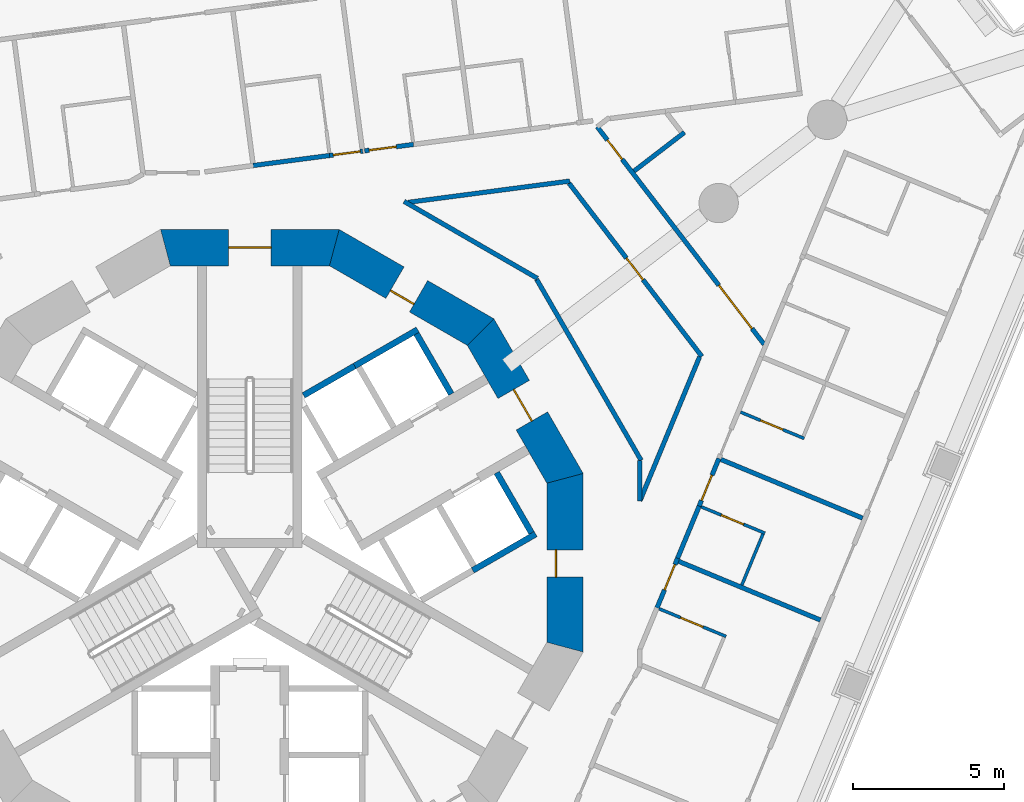
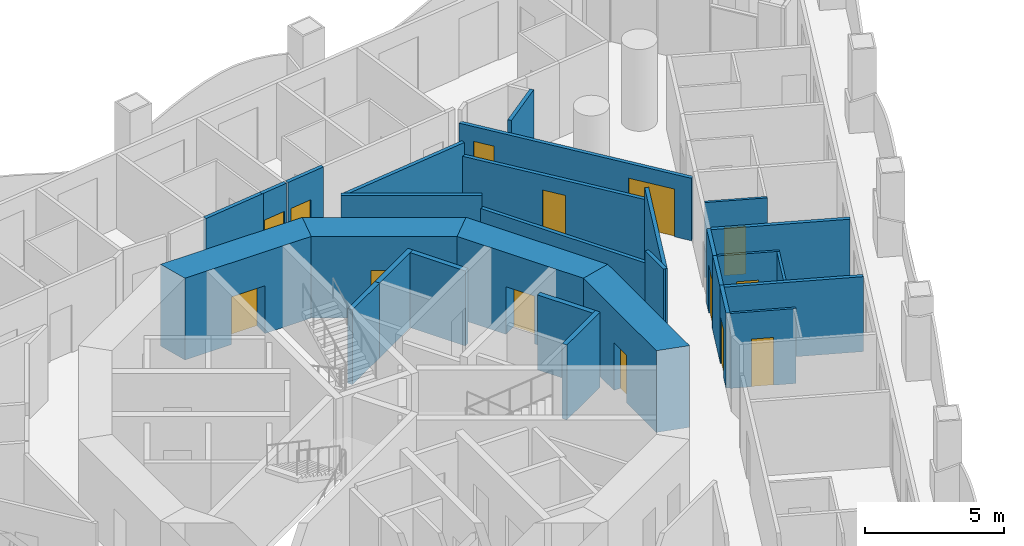
# One storey, part 9 of 19: 29 walls, 14 doors, 14 openings.
"""IFC4 building model written with IfcOpenShell, lengths in metres."""

from ifc_helpers import new_model, si_unit, direction, frame, frame_2d, origin, place, context, subcontext, project, spatial, polyline, rectangle, outline, extrude, material, layer, layer_set, type_object, element, fill, save


model = new_model("IFC4")

# Units and contexts
model_context = context("Model", 3, precision=1e-05, world=origin(), true_north=direction((0.0, 1.0)))
body_context = subcontext(model_context, "Body", "Model", "MODEL_VIEW")
ifc_project = project(units=[si_unit("LENGTHUNIT", "METRE"), si_unit("AREAUNIT", "SQUARE_METRE"), si_unit("VOLUMEUNIT", "CUBIC_METRE"), si_unit("PLANEANGLEUNIT", "RADIAN"), si_unit("MASSUNIT", "GRAM", prefix="KILO")], contexts=[model_context])

# Site, building, storey
site_placement = place(None, origin())
site = spatial("IfcSite", under=ifc_project, at=site_placement, CompositionType="ELEMENT")
building_placement = place(site_placement, origin())
building = spatial("IfcBuilding", under=site, at=building_placement, Name="Trine Commons Tower", CompositionType="ELEMENT")
storey_placement = place(building_placement, frame((0.0, 0.0, 57.60009765625)))
storey = spatial("IfcBuildingStorey", under=building, at=storey_placement, Name="L13", CompositionType="ELEMENT", Elevation=57.60009765625)

# Wall, opening, door
ifc_material_1 = material(Name="Concrete C80/95", Category="concrete")
ifc_layer_1 = layer(ifc_material_1, 1.199951171875)
ifc_layer_set_1 = layer_set([ifc_layer_1], Name="Concrete C80/95")
wall_type_1 = type_object("IfcWallType", Name="RC shear wall 1200 mm, C80/95", PredefinedType="SHEAR", material=ifc_layer_set_1)
wall_1_placement = place(storey_placement, frame((90.41162109375, 59.549560546875, 0.0), z_axis=(0.0, 0.0, 1.0), x_axis=(0.0, 1.0, 0.0)))
wall_1 = element("IfcWall", 1, at=wall_1_placement, inside=storey, type_object=wall_type_1, Name="Core wall CWB-01 L13", PredefinedType="SHEAR", context=body_context, shape_type="SweptSolid", body=[
    extrude(outline(polyline([(0.0, -0.60009765625), (5.90087890625, -0.60009765625), (5.57958984375, 0.60009765625), (0.321533203125, 0.60009765625), (0.0, -0.60009765625)])), origin(), (0.0, 0.0, 1.0), 3.599853515625),
])
opening_1_placement = place(wall_1_placement, frame((2.4755859375, 0.0, 0.0)))
opening_1 = element("IfcOpeningElement", 2, at=opening_1_placement, cuts=wall_1, Name="Opening K04.18", PredefinedType="OPENING", context=body_context, shape_type="SweptSolid", body=[
    extrude(rectangle(XDim=0.89990234375, YDim=2.10009765625, at=frame_2d((0.449951171875, 1.050048828125))), frame((0.0, 0.60986328125, 0.0), z_axis=(0.0, -1.0, 0.0), x_axis=(1.0, 0.0, 0.0)), (0.0, 0.0, 1.0), 1.219970703125),
])
ifc_material_2 = material(Name="Steel door leaf, fire-rated", Category="steel")
door_type_1 = type_object("IfcDoorType", Name="Core room door, single leaf 900 x 2100, FD30S", OperationType="SINGLE_SWING_LEFT", PredefinedType="DOOR", material=ifc_material_2)
door_1_placement = place(opening_1_placement, origin())
door_1 = element("IfcDoor", 3, at=door_1_placement, inside=storey, type_object=door_type_1, Name="Door to Parcel store L13", OperationType="SINGLE_SWING_LEFT", OverallHeight=2.10009765625, OverallWidth=0.89990234375, PredefinedType="DOOR", context=body_context, shape_type="SweptSolid", body=[
    extrude(rectangle(XDim=0.89990234375, YDim=2.10009765625, at=frame_2d((0.449951171875, 1.050048828125))), frame((0.0, 0.3251953125, 0.0), z_axis=(0.0, -1.0, 0.0), x_axis=(1.0, 0.0, 0.0)), (0.0, 0.0, 1.0), 0.050048828125),
])
fill(opening_1, door_1)

wall_2_placement = place(storey_placement, frame((90.491943359375, 65.150390625, 0.0), z_axis=(0.0, 0.0, 1.0), x_axis=(-0.499979111662, 0.866037463336, 0.0)))
wall_2 = element("IfcWall", 4, at=wall_2_placement, inside=storey, type_object=wall_type_1, Name="Core wall CWB-02 L13", PredefinedType="SHEAR", context=body_context, shape_type="SweptSolid", body=[
    extrude(outline(polyline([(0.0, -0.60009765625), (5.901123046875, -0.60009765625), (5.57958984375, 0.60009765625), (0.321533203125, 0.60009765625), (0.0, -0.60009765625)])), origin(), (0.0, 0.0, 1.0), 3.599853515625),
])
opening_2_placement = place(wall_2_placement, frame((2.3505859375, 0.0, 0.0)))
opening_2 = element("IfcOpeningElement", 5, at=opening_2_placement, cuts=wall_2, Name="Opening K04.04", PredefinedType="OPENING", context=body_context, shape_type="SweptSolid", body=[
    extrude(rectangle(XDim=1.199951171875, YDim=2.10009765625, at=frame_2d((0.60009765625, 1.050048828125))), frame((0.0, 0.60986328125, 0.0), z_axis=(0.0, -1.0, 0.0), x_axis=(1.0, 0.0, 0.0)), (0.0, 0.0, 1.0), 1.219970703125),
])
ifc_material_3 = material(Name="Steel door leaves, fire-rated", Category="steel")
door_type_2 = type_object("IfcDoorType", Name="Lobby door, double leaf 1200 x 2100, FD60", OperationType="DOUBLE_DOOR_SINGLE_SWING", PredefinedType="DOOR", material=ifc_material_3)
door_2_placement = place(opening_2_placement, origin())
door_2 = element("IfcDoor", 6, at=door_2_placement, inside=storey, type_object=door_type_2, Name="Lobby door, Passenger lift lobby A L13", OperationType="DOUBLE_DOOR_SINGLE_SWING", OverallHeight=2.10009765625, OverallWidth=1.199951171875, PredefinedType="DOOR", context=body_context, shape_type="SweptSolid", body=[
    extrude(rectangle(XDim=1.199951171875, YDim=2.10009765625, at=frame_2d((0.60009765625, 1.050048828125))), frame((0.0, 0.02490234375, 0.0), z_axis=(0.0, -1.0, 0.0), x_axis=(1.0, 0.0, 0.0)), (0.0, 0.0, 1.0), 0.050048828125),
])
fill(opening_2, door_2)

wall_3_placement = place(storey_placement, frame((87.760986328125, 70.04150390625, 0.0), z_axis=(0.0, 0.0, 1.0), x_axis=(-0.866037463336, 0.499979111662, 0.0)))
wall_3 = element("IfcWall", 7, at=wall_3_placement, inside=storey, type_object=wall_type_1, Name="Core wall CWB-03 L13", PredefinedType="SHEAR", context=body_context, shape_type="SweptSolid", body=[
    extrude(outline(polyline([(0.0, -0.60009765625), (5.901123046875, -0.60009765625), (5.57958984375, 0.60009765625), (0.321533203125, 0.60009765625), (0.0, -0.60009765625)])), origin(), (0.0, 0.0, 1.0), 3.599853515625),
])
opening_3_placement = place(wall_3_placement, frame((2.526611328125, 0.0, 0.0)))
opening_3 = element("IfcOpeningElement", 8, at=opening_3_placement, cuts=wall_3, Name="Opening K04.12", PredefinedType="OPENING", context=body_context, shape_type="SweptSolid", body=[
    extrude(rectangle(XDim=0.89990234375, YDim=2.10009765625, at=frame_2d((0.449951171875, 1.050048828125))), frame((0.0, 0.60986328125, 0.0), z_axis=(0.0, -1.0, 0.0), x_axis=(1.0, 0.0, 0.0)), (0.0, 0.0, 1.0), 1.219970703125),
])
door_3_placement = place(opening_3_placement, origin())
door_3 = element("IfcDoor", 9, at=door_3_placement, inside=storey, type_object=door_type_1, Name="Door to Linen store L13", OperationType="SINGLE_SWING_RIGHT", OverallHeight=2.10009765625, OverallWidth=0.89990234375, PredefinedType="DOOR", context=body_context, shape_type="SweptSolid", body=[
    extrude(rectangle(XDim=0.89990234375, YDim=2.10009765625, at=frame_2d((0.449951171875, 1.050048828125))), frame((0.0, 0.3251953125, 0.0), z_axis=(0.0, -1.0, 0.0), x_axis=(1.0, 0.0, 0.0)), (0.0, 0.0, 1.0), 0.050048828125),
])
fill(opening_3, door_3)

wall_4_placement = place(storey_placement, frame((82.950439453125, 72.91162109375, 0.0), z_axis=(0.0, 0.0, 1.0), x_axis=(-1.0, 0.0, 0.0)))
wall_4 = element("IfcWall", 10, at=wall_4_placement, inside=storey, type_object=wall_type_1, Name="Core wall CWB-04 L13", PredefinedType="SHEAR", context=body_context, shape_type="SweptSolid", body=[
    extrude(outline(polyline([(0.0, -0.60009765625), (5.90087890625, -0.60009765625), (5.57958984375, 0.60009765625), (0.321533203125, 0.60009765625), (0.0, -0.60009765625)])), origin(), (0.0, 0.0, 1.0), 3.599853515625),
])
opening_4_placement = place(wall_4_placement, frame((2.25048828125, 0.0, 0.0)))
opening_4 = element("IfcOpeningElement", 11, at=opening_4_placement, cuts=wall_4, Name="Opening K04.01", PredefinedType="OPENING", context=body_context, shape_type="SweptSolid", body=[
    extrude(rectangle(XDim=1.39990234375, YDim=2.10009765625, at=frame_2d((0.699951171875, 1.050048828125))), frame((0.0, 0.60986328125, 0.0), z_axis=(0.0, -1.0, 0.0), x_axis=(1.0, 0.0, 0.0)), (0.0, 0.0, 1.0), 1.219970703125),
])
door_type_3 = type_object("IfcDoorType", Name="Stair door, double leaf 1400 x 2100, FD90", OperationType="DOUBLE_DOOR_SINGLE_SWING", PredefinedType="DOOR", material=ifc_material_3)
door_4_placement = place(opening_4_placement, origin())
door_4 = element("IfcDoor", 12, at=door_4_placement, inside=storey, type_object=door_type_3, Name="Stair door to Exit stair ST1A L13", OperationType="DOUBLE_DOOR_SINGLE_SWING", OverallHeight=2.10009765625, OverallWidth=1.39990234375, PredefinedType="DOOR", context=body_context, shape_type="SweptSolid", body=[
    extrude(rectangle(XDim=1.39990234375, YDim=2.10009765625, at=frame_2d((0.699951171875, 1.050048828125))), frame((0.0, 0.02490234375, 0.0), z_axis=(0.0, -1.0, 0.0), x_axis=(1.0, 0.0, 0.0)), (0.0, 0.0, 1.0), 0.050048828125),
])
fill(opening_4, door_4)

# Walls
ifc_material_4 = material(Name="Fire-rated gypsum shaft wall system")
ifc_layer_2 = layer(ifc_material_4, 0.199951171875)
ifc_layer_set_2 = layer_set([ifc_layer_2], Name="Fire-rated gypsum shaft wall system")
wall_type_2 = type_object("IfcWallType", Name="Shaft wall 200 mm, EI 120", PredefinedType="PARTITIONING", material=ifc_layer_set_2)
wall_5_placement = place(storey_placement, frame((81.77490234375, 68.028076171875, 0.0), z_axis=(0.0, 0.0, 1.0), x_axis=(0.866052014814, 0.499953905513, 0.0)))
element("IfcWall", 13, at=wall_5_placement, inside=storey, type_object=wall_type_2, Name="Shaft wall L13", PredefinedType="PARTITIONING", context=body_context, shape_type="SweptSolid", body=[
    extrude(rectangle(XDim=1.947998046875, YDim=0.199951171875, at=frame_2d((0.97412109375, 0.0))), origin(), (0.0, 0.0, 1.0), 3.2998046875),
])
wall_6_placement = place(storey_placement, frame((83.4619140625, 69.001953125, 0.0), z_axis=(0.0, 0.0, 1.0), x_axis=(0.866202511239, 0.499693115345, 0.0)))
element("IfcWall", 14, at=wall_6_placement, inside=storey, type_object=wall_type_2, Name="Shaft wall L13", PredefinedType="PARTITIONING", context=body_context, shape_type="SweptSolid", body=[
    extrude(rectangle(XDim=2.4013671875, YDim=0.199951171875, at=frame_2d((1.20068359375, 0.0))), origin(), (0.0, 0.0, 1.0), 3.2998046875),
])
wall_7_placement = place(storey_placement, frame((86.655029296875, 68.073974609375, 0.0), z_axis=(0.0, 0.0, 1.0), x_axis=(-0.500215680983, 0.865900844496, 0.0)))
element("IfcWall", 15, at=wall_7_placement, inside=storey, type_object=wall_type_2, Name="Shaft wall L13", PredefinedType="PARTITIONING", context=body_context, shape_type="SweptSolid", body=[
    extrude(rectangle(XDim=2.29931640625, YDim=0.199951171875, at=frame_2d((1.149658203125, 0.0))), origin(), (0.0, 0.0, 1.0), 3.2998046875),
])
wall_8_placement = place(storey_placement, frame((87.362060546875, 62.248046875, 0.0), z_axis=(0.0, 0.0, 1.0), x_axis=(0.866177122335, 0.499737123639, 0.0)))
element("IfcWall", 16, at=wall_8_placement, inside=storey, type_object=wall_type_2, Name="Shaft wall L13", PredefinedType="PARTITIONING", context=body_context, shape_type="SweptSolid", body=[
    extrude(rectangle(XDim=2.401123046875, YDim=0.199951171875, at=frame_2d((1.20068359375, 0.0))), origin(), (0.0, 0.0, 1.0), 3.2998046875),
])
wall_9_placement = place(storey_placement, frame((88.155029296875, 65.47607421875, 0.0), z_axis=(0.0, 0.0, 1.0), x_axis=(0.500136062276, -0.86594683394, 0.0)))
element("IfcWall", 17, at=wall_9_placement, inside=storey, type_object=wall_type_2, Name="Shaft wall L13", PredefinedType="PARTITIONING", context=body_context, shape_type="SweptSolid", body=[
    extrude(rectangle(XDim=2.299072265625, YDim=0.199951171875, at=frame_2d((1.1494140625, 0.0))), origin(), (0.0, 0.0, 1.0), 3.2998046875),
])
ifc_material_5 = material(Name="Gypsum plasterboard on steel stud", Category="steel")
ifc_layer_3 = layer(ifc_material_5, 0.14990234375)
ifc_layer_set_3 = layer_set([ifc_layer_3], Name="Gypsum plasterboard on steel stud")
wall_type_3 = type_object("IfcWallType", Name="Unit and corridor wall 150 mm, EI 60", PredefinedType="PARTITIONING", material=ifc_layer_set_3)
wall_10_placement = place(storey_placement, frame((80.10595703125, 75.623046875, 0.0), z_axis=(0.0, 0.0, 1.0), x_axis=(0.991448878041, 0.130495678972, 0.0)))
element("IfcWall", 18, at=wall_10_placement, inside=storey, type_object=wall_type_3, Name="Partition 087", PredefinedType="PARTITIONING", context=body_context, shape_type="SweptSolid", body=[
    extrude(rectangle(XDim=2.60791015625, YDim=0.14990234375, at=frame_2d((1.303955078125, 0.0))), origin(), (0.0, 0.0, 1.0), 3.2998046875),
])

# Wall, opening, door
wall_11_placement = place(storey_placement, frame((82.634033203125, 75.9560546875, 0.0), z_axis=(0.0, 0.0, 1.0), x_axis=(0.99141275319, 0.130769846721, 0.0)))
wall_11 = element("IfcWall", 19, at=wall_11_placement, inside=storey, type_object=wall_type_3, Name="Partition 090", PredefinedType="PARTITIONING", context=body_context, shape_type="SweptSolid", body=[
    extrude(rectangle(XDim=1.1015625, YDim=0.14990234375, at=frame_2d((0.55078125, 0.0))), origin(), (0.0, 0.0, 1.0), 3.2998046875),
])
opening_5_placement = place(wall_11_placement, frame((0.117431640625, 0.0, 0.0)))
opening_5 = element("IfcOpeningElement", 20, at=opening_5_placement, cuts=wall_11, Name="Opening D-2A13", PredefinedType="OPENING", context=body_context, shape_type="SweptSolid", body=[
    extrude(rectangle(XDim=0.89990234375, YDim=2.10009765625, at=frame_2d((0.449951171875, 1.050048828125))), frame((0.0, 0.0849609375, 0.0), z_axis=(0.0, -1.0, 0.0), x_axis=(1.0, 0.0, 0.0)), (0.0, 0.0, 1.0), 0.169921875),
])
ifc_material_6 = material(Name="Timber fire door set", Category="wood")
door_type_4 = type_object("IfcDoorType", Name="Bedroom door 900 x 2100, FD30S", OperationType="NOTDEFINED", PredefinedType="DOOR", material=ifc_material_6)
door_5_placement = place(opening_5_placement, origin())
door_5 = element("IfcDoor", 21, at=door_5_placement, inside=storey, type_object=door_type_4, Name="Door D-2A13", OperationType="SINGLE_SWING_RIGHT", OverallHeight=2.10009765625, OverallWidth=0.89990234375, PredefinedType="DOOR", context=body_context, shape_type="SweptSolid", body=[
    extrude(rectangle(XDim=0.89990234375, YDim=2.10009765625, at=frame_2d((0.449951171875, 1.050048828125))), frame((0.0, 0.02490234375, 0.0), z_axis=(0.0, -1.0, 0.0), x_axis=(1.0, 0.0, 0.0)), (0.0, 0.0, 1.0), 0.050048828125),
])
fill(opening_5, door_5)

wall_12_placement = place(storey_placement, frame((83.79248046875, 76.10888671875, 0.0), z_axis=(0.0, 0.0, 1.0), x_axis=(0.991466035582, 0.130365257213, 0.0)))
wall_12 = element("IfcWall", 22, at=wall_12_placement, inside=storey, type_object=wall_type_3, Name="Partition 093", PredefinedType="PARTITIONING", context=body_context, shape_type="SweptSolid", body=[
    extrude(rectangle(XDim=1.62744140625, YDim=0.14990234375, at=frame_2d((0.813720703125, 0.0))), origin(), (0.0, 0.0, 1.0), 3.2998046875),
])
opening_6_placement = place(wall_12_placement, frame((0.14990234375, 0.0, 0.0)))
opening_6 = element("IfcOpeningElement", 23, at=opening_6_placement, cuts=wall_12, Name="Opening D-2A14", PredefinedType="OPENING", context=body_context, shape_type="SweptSolid", body=[
    extrude(rectangle(XDim=0.89990234375, YDim=2.10009765625, at=frame_2d((0.449951171875, 1.050048828125))), frame((0.0, 0.0849609375, 0.0), z_axis=(0.0, -1.0, 0.0), x_axis=(1.0, 0.0, 0.0)), (0.0, 0.0, 1.0), 0.169921875),
])
door_6_placement = place(opening_6_placement, origin())
door_6 = element("IfcDoor", 24, at=door_6_placement, inside=storey, type_object=door_type_4, Name="Door D-2A14", OperationType="SINGLE_SWING_LEFT", OverallHeight=2.10009765625, OverallWidth=0.89990234375, PredefinedType="DOOR", context=body_context, shape_type="SweptSolid", body=[
    extrude(rectangle(XDim=0.89990234375, YDim=2.10009765625, at=frame_2d((0.449951171875, 1.050048828125))), frame((0.0, 0.02490234375, 0.0), z_axis=(0.0, -1.0, 0.0), x_axis=(1.0, 0.0, 0.0)), (0.0, 0.0, 1.0), 0.050048828125),
])
fill(opening_6, door_6)

# Walls
wall_13_placement = place(storey_placement, frame((85.095947265625, 74.4384765625, 0.0), z_axis=(0.0, 0.0, 1.0), x_axis=(0.866036051865, -0.49998155653, 0.0)))
element("IfcWall", 25, at=wall_13_placement, inside=storey, type_object=wall_type_3, Name="Partition 102", PredefinedType="PARTITIONING", context=body_context, shape_type="SweptSolid", body=[
    extrude(rectangle(XDim=5.084228515625, YDim=0.14990234375, at=frame_2d((2.5419921875, 0.0))), origin(), (0.0, 0.0, 1.0), 3.2998046875),
])
wall_14_placement = place(storey_placement, frame((85.23828125, 74.40869140625, 0.0), z_axis=(0.0, 0.0, 1.0), x_axis=(0.991440693098, 0.130557849512, 0.0)))
element("IfcWall", 26, at=wall_14_placement, inside=storey, type_object=wall_type_3, Name="Partition 104", PredefinedType="PARTITIONING", context=body_context, shape_type="SweptSolid", body=[
    extrude(rectangle(XDim=5.378173828125, YDim=0.14990234375, at=frame_2d((2.68896484375, 0.0))), origin(), (0.0, 0.0, 1.0), 3.2998046875),
])
wall_15_placement = place(storey_placement, frame((89.471435546875, 71.868896484375, 0.0), z_axis=(0.0, 0.0, 1.0), x_axis=(0.50000193825, -0.866024284732, 0.0)))
element("IfcWall", 27, at=wall_15_placement, inside=storey, type_object=wall_type_3, Name="Partition 122", PredefinedType="PARTITIONING", context=body_context, shape_type="SweptSolid", body=[
    extrude(rectangle(XDim=6.90625, YDim=0.14990234375, at=frame_2d((3.453125, 0.0))), origin(), (0.0, 0.0, 1.0), 2.75),
])

# Wall, opening, door
wall_16_placement = place(storey_placement, frame((90.541748046875, 75.04150390625, 0.0), z_axis=(0.0, 0.0, 1.0), x_axis=(0.608724186816, -0.793381915842, 0.0)))
wall_16 = element("IfcWall", 28, at=wall_16_placement, inside=storey, type_object=wall_type_3, Name="Partition 125", PredefinedType="PARTITIONING", context=body_context, shape_type="SweptSolid", body=[
    extrude(rectangle(XDim=7.21484375, YDim=0.14990234375, at=frame_2d((3.607421875, 0.0))), origin(), (0.0, 0.0, 1.0), 2.75),
])
opening_7_placement = place(wall_16_placement, frame((3.119873046875, 0.0, 0.0)))
opening_7 = element("IfcOpeningElement", 29, at=opening_7_placement, cuts=wall_16, Name="Opening D-2A37", PredefinedType="OPENING", context=body_context, shape_type="SweptSolid", body=[
    extrude(rectangle(XDim=0.89990234375, YDim=2.10009765625, at=frame_2d((0.449951171875, 1.050048828125))), frame((0.0, 0.0849609375, 0.0), z_axis=(0.0, -1.0, 0.0), x_axis=(1.0, 0.0, 0.0)), (0.0, 0.0, 1.0), 0.169921875),
])
door_type_5 = type_object("IfcDoorType", Name="Service door 900 x 2100, FD30S", OperationType="NOTDEFINED", PredefinedType="DOOR", material=ifc_material_6)
door_7_placement = place(opening_7_placement, frame((0.89990234375, 0.0, 0.0), z_axis=(0.0, 0.0, 1.0), x_axis=(-1.0, 0.0, 0.0)))
door_7 = element("IfcDoor", 30, at=door_7_placement, inside=storey, type_object=door_type_5, Name="Door D-2A37", OperationType="SINGLE_SWING_RIGHT", OverallHeight=2.10009765625, OverallWidth=0.89990234375, PredefinedType="DOOR", context=body_context, shape_type="SweptSolid", body=[
    extrude(rectangle(XDim=0.89990234375, YDim=2.10009765625, at=frame_2d((0.449951171875, 1.050048828125))), frame((0.0, 0.02490234375, 0.0), z_axis=(0.0, -1.0, 0.0), x_axis=(1.0, 0.0, 0.0)), (0.0, 0.0, 1.0), 0.050048828125),
])
fill(opening_7, door_7)

# Wall, openings, doors
wall_17_placement = place(storey_placement, frame((91.47412109375, 76.906005859375, 0.0), z_axis=(0.0, 0.0, 1.0), x_axis=(0.608691769464, -0.793406787081, 0.0)))
wall_17 = element("IfcWall", 31, at=wall_17_placement, inside=storey, type_object=wall_type_3, Name="Partition 129", PredefinedType="PARTITIONING", context=body_context, shape_type="SweptSolid", body=[
    extrude(rectangle(XDim=9.05908203125, YDim=0.14990234375, at=frame_2d((4.529541015625, 0.0))), origin(), (0.0, 0.0, 1.0), 2.75),
])
opening_8_placement = place(wall_17_placement, frame((6.606201171875, 0.0, 0.0)))
opening_8 = element("IfcOpeningElement", 32, at=opening_8_placement, cuts=wall_17, Name="Opening D-2A01", PredefinedType="OPENING", context=body_context, shape_type="SweptSolid", body=[
    extrude(rectangle(XDim=1.800048828125, YDim=2.10009765625, at=frame_2d((0.89990234375, 1.050048828125))), frame((0.0, 0.0849609375, 0.0), z_axis=(0.0, -1.0, 0.0), x_axis=(1.0, 0.0, 0.0)), (0.0, 0.0, 1.0), 0.169921875),
])
opening_9_placement = place(wall_17_placement, frame((0.553955078125, 0.0, 0.0)))
opening_9 = element("IfcOpeningElement", 33, at=opening_9_placement, cuts=wall_17, Name="Opening D-2A04", PredefinedType="OPENING", context=body_context, shape_type="SweptSolid", body=[
    extrude(rectangle(XDim=0.800048828125, YDim=2.10009765625, at=frame_2d((0.39990234375, 1.050048828125))), frame((0.0, 0.0849609375, 0.0), z_axis=(0.0, -1.0, 0.0), x_axis=(1.0, 0.0, 0.0)), (0.0, 0.0, 1.0), 0.169921875),
])
door_type_6 = type_object("IfcDoorType", Name="Cluster entrance door 1800 x 2100, double leaf, FD30S", OperationType="DOUBLE_DOOR_DOUBLE_SWING", PredefinedType="DOOR", material=ifc_material_6)
door_8_placement = place(opening_8_placement, origin())
door_8 = element("IfcDoor", 34, at=door_8_placement, inside=storey, type_object=door_type_6, Name="Door D-2A01", OperationType="DOUBLE_DOOR_DOUBLE_SWING", OverallHeight=2.10009765625, OverallWidth=1.800048828125, PredefinedType="DOOR", context=body_context, shape_type="SweptSolid", body=[
    extrude(rectangle(XDim=1.800048828125, YDim=2.10009765625, at=frame_2d((0.89990234375, 1.050048828125))), frame((0.0, 0.02490234375, 0.0), z_axis=(0.0, -1.0, 0.0), x_axis=(1.0, 0.0, 0.0)), (0.0, 0.0, 1.0), 0.050048828125),
])
fill(opening_8, door_8)
ifc_material_7 = material(Name="Painted timber", Category="wood")
door_type_7 = type_object("IfcDoorType", Name="Toilet door 800 x 2100, NOT RATED", OperationType="NOTDEFINED", PredefinedType="DOOR", material=ifc_material_7)
door_9_placement = place(opening_9_placement, origin())
door_9 = element("IfcDoor", 35, at=door_9_placement, inside=storey, type_object=door_type_7, Name="Door D-2A04", OperationType="SINGLE_SWING_LEFT", OverallHeight=2.10009765625, OverallWidth=0.800048828125, PredefinedType="DOOR", context=body_context, shape_type="SweptSolid", body=[
    extrude(rectangle(XDim=0.800048828125, YDim=2.10009765625, at=frame_2d((0.39990234375, 1.050048828125))), frame((0.0, 0.02490234375, 0.0), z_axis=(0.0, -1.0, 0.0), x_axis=(1.0, 0.0, 0.0)), (0.0, 0.0, 1.0), 0.050048828125),
])
fill(opening_9, door_9)

# Walls
wall_18_placement = place(storey_placement, frame((92.6923828125, 75.440673828125, 0.0), z_axis=(0.0, 0.0, 1.0), x_axis=(0.793198338244, 0.608963378379, 0.0)))
element("IfcWall", 36, at=wall_18_placement, inside=storey, type_object=wall_type_3, Name="Partition 133", PredefinedType="PARTITIONING", context=body_context, shape_type="SweptSolid", body=[
    extrude(rectangle(XDim=2.100341796875, YDim=0.14990234375, at=frame_2d((1.05029296875, 0.0))), origin(), (0.0, 0.0, 1.0), 3.2998046875),
])
wall_19_placement = place(storey_placement, frame((92.886962890625, 64.5419921875, 0.0), z_axis=(0.0, 0.0, 1.0), x_axis=(0.0, 1.0, 0.0)))
element("IfcWall", 37, at=wall_19_placement, inside=storey, type_object=wall_type_3, Name="Partition 137", PredefinedType="PARTITIONING", context=body_context, shape_type="SweptSolid", body=[
    extrude(rectangle(XDim=1.3359375, YDim=0.14990234375, at=frame_2d((0.66796875, 0.0))), origin(), (0.0, 0.0, 1.0), 3.2998046875),
])
wall_20_placement = place(storey_placement, frame((92.886962890625, 64.5458984375, 0.0), z_axis=(0.0, 0.0, 1.0), x_axis=(0.382690656651, 0.923876540081, 0.0)))
element("IfcWall", 38, at=wall_20_placement, inside=storey, type_object=wall_type_3, Name="Partition 138", PredefinedType="PARTITIONING", context=body_context, shape_type="SweptSolid", body=[
    extrude(rectangle(XDim=5.154052734375, YDim=0.14990234375, at=frame_2d((2.5771484375, 0.0))), origin(), (0.0, 0.0, 1.0), 3.2998046875),
])

# Wall, opening, door
wall_21_placement = place(storey_placement, frame((93.449951171875, 61.006103515625, 0.0), z_axis=(0.0, 0.0, 1.0), x_axis=(0.382917833313, 0.923782405619, 0.0)))
wall_21 = element("IfcWall", 39, at=wall_21_placement, inside=storey, type_object=wall_type_3, Name="Partition 139", PredefinedType="PARTITIONING", context=body_context, shape_type="SweptSolid", body=[
    extrude(rectangle(XDim=1.777587890625, YDim=0.14990234375, at=frame_2d((0.888671875, 0.0))), origin(), (0.0, 0.0, 1.0), 3.2998046875),
])
opening_10_placement = place(wall_21_placement, frame((0.648193359375, 0.0, 0.0)))
opening_10 = element("IfcOpeningElement", 40, at=opening_10_placement, cuts=wall_21, Name="Opening D-2A21", PredefinedType="OPENING", context=body_context, shape_type="SweptSolid", body=[
    extrude(rectangle(XDim=0.89990234375, YDim=2.10009765625, at=frame_2d((0.449951171875, 1.050048828125))), frame((0.0, 0.0849609375, 0.0), z_axis=(0.0, -1.0, 0.0), x_axis=(1.0, 0.0, 0.0)), (0.0, 0.0, 1.0), 0.169921875),
])
door_10_placement = place(opening_10_placement, frame((0.89990234375, 0.0, 0.0), z_axis=(0.0, 0.0, 1.0), x_axis=(-1.0, 0.0, 0.0)))
door_10 = element("IfcDoor", 41, at=door_10_placement, inside=storey, type_object=door_type_4, Name="Door D-2A21", OperationType="SINGLE_SWING_LEFT", OverallHeight=2.10009765625, OverallWidth=0.89990234375, PredefinedType="DOOR", context=body_context, shape_type="SweptSolid", body=[
    extrude(rectangle(XDim=0.89990234375, YDim=2.10009765625, at=frame_2d((0.449951171875, 1.050048828125))), frame((0.0, 0.02490234375, 0.0), z_axis=(0.0, -1.0, 0.0), x_axis=(1.0, 0.0, 0.0)), (0.0, 0.0, 1.0), 0.050048828125),
])
fill(opening_10, door_10)

# Walls
wall_22_placement = place(storey_placement, frame((94.097900390625, 62.571044921875, 0.0), z_axis=(0.0, 0.0, 1.0), x_axis=(0.382863290068, 0.923805012499, 0.0)))
element("IfcWall", 42, at=wall_22_placement, inside=storey, type_object=wall_type_3, Name="Partition 143", PredefinedType="PARTITIONING", context=body_context, shape_type="SweptSolid", body=[
    extrude(rectangle(XDim=2.00927734375, YDim=0.14990234375, at=frame_2d((1.004638671875, 0.0))), origin(), (0.0, 0.0, 1.0), 3.2998046875),
])
wall_23_placement = place(storey_placement, frame((94.169189453125, 62.54638671875, 0.0), z_axis=(0.0, 0.0, 1.0), x_axis=(0.923879340067, -0.382683896966, 0.0)))
element("IfcWall", 43, at=wall_23_placement, inside=storey, type_object=wall_type_3, Name="Partition 144", PredefinedType="PARTITIONING", context=body_context, shape_type="SweptSolid", body=[
    extrude(rectangle(XDim=5.064208984375, YDim=0.14990234375, at=frame_2d((2.5322265625, 0.0))), origin(), (0.0, 0.0, 1.0), 3.2998046875),
])

# Wall, opening, door
wall_24_placement = place(storey_placement, frame((94.844970703125, 64.373046875, 0.0), z_axis=(0.0, 0.0, 1.0), x_axis=(0.382668597728, 0.92388567708, 0.0)))
wall_24 = element("IfcWall", 44, at=wall_24_placement, inside=storey, type_object=wall_type_3, Name="Partition 146", PredefinedType="PARTITIONING", context=body_context, shape_type="SweptSolid", body=[
    extrude(rectangle(XDim=1.701416015625, YDim=0.14990234375, at=frame_2d((0.8505859375, 0.0))), origin(), (0.0, 0.0, 1.0), 3.2998046875),
])
opening_11_placement = place(wall_24_placement, frame((0.203369140625, 0.0, 0.0)))
opening_11 = element("IfcOpeningElement", 45, at=opening_11_placement, cuts=wall_24, Name="Opening D-2A20", PredefinedType="OPENING", context=body_context, shape_type="SweptSolid", body=[
    extrude(rectangle(XDim=0.89990234375, YDim=2.10009765625, at=frame_2d((0.449951171875, 1.050048828125))), frame((0.0, 0.0849609375, 0.0), z_axis=(0.0, -1.0, 0.0), x_axis=(1.0, 0.0, 0.0)), (0.0, 0.0, 1.0), 0.169921875),
])
door_11_placement = place(opening_11_placement, frame((0.89990234375, 0.0, 0.0), z_axis=(0.0, 0.0, 1.0), x_axis=(-1.0, 0.0, 0.0)))
door_11 = element("IfcDoor", 46, at=door_11_placement, inside=storey, type_object=door_type_4, Name="Door D-2A20", OperationType="SINGLE_SWING_RIGHT", OverallHeight=2.10009765625, OverallWidth=0.89990234375, PredefinedType="DOOR", context=body_context, shape_type="SweptSolid", body=[
    extrude(rectangle(XDim=0.89990234375, YDim=2.10009765625, at=frame_2d((0.449951171875, 1.050048828125))), frame((0.0, 0.02490234375, 0.0), z_axis=(0.0, -1.0, 0.0), x_axis=(1.0, 0.0, 0.0)), (0.0, 0.0, 1.0), 0.050048828125),
])
fill(opening_11, door_11)

# Wall
wall_25_placement = place(storey_placement, frame((95.563232421875, 65.912353515625, 0.0), z_axis=(0.0, 0.0, 1.0), x_axis=(0.923879340067, -0.382683896966, 0.0)))
element("IfcWall", 47, at=wall_25_placement, inside=storey, type_object=wall_type_3, Name="Partition 150", PredefinedType="PARTITIONING", context=body_context, shape_type="SweptSolid", body=[
    extrude(rectangle(XDim=5.064208984375, YDim=0.14990234375, at=frame_2d((2.5322265625, 0.0))), origin(), (0.0, 0.0, 1.0), 3.2998046875),
])

# Wall, opening, door
ifc_layer_4 = layer(ifc_material_5, 0.10009765625)
ifc_layer_set_4 = layer_set([ifc_layer_4], Name="Gypsum plasterboard on steel stud")
wall_type_4 = type_object("IfcWallType", Name="Unit partition 100 mm, no rating", PredefinedType="PARTITIONING", material=ifc_layer_set_4)
wall_26_placement = place(storey_placement, frame((93.521240234375, 60.981201171875, 0.0), z_axis=(0.0, 0.0, 1.0), x_axis=(0.9238961731, -0.38264325596, 0.0)))
wall_26 = element("IfcWall", 48, at=wall_26_placement, inside=storey, type_object=wall_type_4, Name="Partition 140", PredefinedType="PARTITIONING", context=body_context, shape_type="SweptSolid", body=[
    extrude(rectangle(XDim=2.39208984375, YDim=0.10009765625, at=frame_2d((1.196044921875, 0.0))), origin(), (0.0, 0.0, 1.0), 3.2998046875),
])
opening_12_placement = place(wall_26_placement, frame((0.77099609375, 0.0, 0.0)))
opening_12 = element("IfcOpeningElement", 49, at=opening_12_placement, cuts=wall_26, Name="Opening D-2A53", PredefinedType="OPENING", context=body_context, shape_type="SweptSolid", body=[
    extrude(rectangle(XDim=0.800048828125, YDim=2.10009765625, at=frame_2d((0.39990234375, 1.050048828125))), frame((0.0, 0.06005859375, 0.0), z_axis=(0.0, -1.0, 0.0), x_axis=(1.0, 0.0, 0.0)), (0.0, 0.0, 1.0), 0.1201171875),
])
door_type_8 = type_object("IfcDoorType", Name="Internal door 800 x 2100, NOT RATED", OperationType="NOTDEFINED", PredefinedType="DOOR", material=ifc_material_7)
door_12_placement = place(opening_12_placement, origin())
door_12 = element("IfcDoor", 50, at=door_12_placement, inside=storey, type_object=door_type_8, Name="Door D-2A53", OperationType="SINGLE_SWING_LEFT", OverallHeight=2.10009765625, OverallWidth=0.800048828125, PredefinedType="DOOR", context=body_context, shape_type="SweptSolid", body=[
    extrude(rectangle(XDim=0.800048828125, YDim=2.10009765625, at=frame_2d((0.39990234375, 1.050048828125))), frame((0.0, 0.02490234375, 0.0), z_axis=(0.0, -1.0, 0.0), x_axis=(1.0, 0.0, 0.0)), (0.0, 0.0, 1.0), 0.050048828125),
])
fill(opening_12, door_12)

wall_27_placement = place(storey_placement, frame((94.915283203125, 64.348388671875, 0.0), z_axis=(0.0, 0.0, 1.0), x_axis=(0.923726372156, -0.383052985085, 0.0)))
wall_27 = element("IfcWall", 51, at=wall_27_placement, inside=storey, type_object=wall_type_4, Name="Partition 147", PredefinedType="PARTITIONING", context=body_context, shape_type="SweptSolid", body=[
    extrude(rectangle(XDim=2.275390625, YDim=0.10009765625, at=frame_2d((1.1376953125, 0.0))), origin(), (0.0, 0.0, 1.0), 3.2998046875),
])
opening_13_placement = place(wall_27_placement, frame((0.712646484375, 0.0, 0.0)))
opening_13 = element("IfcOpeningElement", 52, at=opening_13_placement, cuts=wall_27, Name="Opening D-2A52", PredefinedType="OPENING", context=body_context, shape_type="SweptSolid", body=[
    extrude(rectangle(XDim=0.800048828125, YDim=2.10009765625, at=frame_2d((0.39990234375, 1.050048828125))), frame((0.0, 0.06005859375, 0.0), z_axis=(0.0, -1.0, 0.0), x_axis=(1.0, 0.0, 0.0)), (0.0, 0.0, 1.0), 0.1201171875),
])
door_13_placement = place(opening_13_placement, origin())
door_13 = element("IfcDoor", 53, at=door_13_placement, inside=storey, type_object=door_type_8, Name="Door D-2A52", OperationType="SINGLE_SWING_LEFT", OverallHeight=2.10009765625, OverallWidth=0.800048828125, PredefinedType="DOOR", context=body_context, shape_type="SweptSolid", body=[
    extrude(rectangle(XDim=0.800048828125, YDim=2.10009765625, at=frame_2d((0.39990234375, 1.050048828125))), frame((0.0, 0.02490234375, 0.0), z_axis=(0.0, -1.0, 0.0), x_axis=(1.0, 0.0, 0.0)), (0.0, 0.0, 1.0), 0.050048828125),
])
fill(opening_13, door_13)

wall_28_placement = place(storey_placement, frame((96.211181640625, 67.477294921875, 0.0), z_axis=(0.0, 0.0, 1.0), x_axis=(0.923931833824, -0.382557141415, 0.0)))
wall_28 = element("IfcWall", 54, at=wall_28_placement, inside=storey, type_object=wall_type_4, Name="Partition 154", PredefinedType="PARTITIONING", context=body_context, shape_type="SweptSolid", body=[
    extrude(rectangle(XDim=2.275146484375, YDim=0.10009765625, at=frame_2d((1.1376953125, 0.0))), origin(), (0.0, 0.0, 1.0), 3.2998046875),
])
opening_14_placement = place(wall_28_placement, frame((0.71240234375, 0.0, 0.0)))
opening_14 = element("IfcOpeningElement", 55, at=opening_14_placement, cuts=wall_28, Name="Opening D-2A51", PredefinedType="OPENING", context=body_context, shape_type="SweptSolid", body=[
    extrude(rectangle(XDim=0.800048828125, YDim=2.10009765625, at=frame_2d((0.39990234375, 1.050048828125))), frame((0.0, 0.06005859375, 0.0), z_axis=(0.0, -1.0, 0.0), x_axis=(1.0, 0.0, 0.0)), (0.0, 0.0, 1.0), 0.1201171875),
])
door_14_placement = place(opening_14_placement, frame((0.800048828125, 0.0, 0.0), z_axis=(0.0, 0.0, 1.0), x_axis=(-1.0, 0.0, 0.0)))
door_14 = element("IfcDoor", 56, at=door_14_placement, inside=storey, type_object=door_type_8, Name="Door D-2A51", OperationType="SINGLE_SWING_RIGHT", OverallHeight=2.10009765625, OverallWidth=0.800048828125, PredefinedType="DOOR", context=body_context, shape_type="SweptSolid", body=[
    extrude(rectangle(XDim=0.800048828125, YDim=2.10009765625, at=frame_2d((0.39990234375, 1.050048828125))), frame((0.0, 0.02490234375, 0.0), z_axis=(0.0, -1.0, 0.0), x_axis=(1.0, 0.0, 0.0)), (0.0, 0.0, 1.0), 0.050048828125),
])
fill(opening_14, door_14)

# Wall
wall_29_placement = place(storey_placement, frame((96.253662109375, 61.764404296875, 0.0), z_axis=(0.0, 0.0, 1.0), x_axis=(0.382761541363, 0.923847174836, 0.0)))
element("IfcWall", 57, at=wall_29_placement, inside=storey, type_object=wall_type_4, Name="Partition 155", PredefinedType="PARTITIONING", context=body_context, shape_type="SweptSolid", body=[
    extrude(rectangle(XDim=1.82421875, YDim=0.10009765625, at=frame_2d((0.912109375, 0.0))), origin(), (0.0, 0.0, 1.0), 3.2998046875),
])

save(model, "model.ifc")
